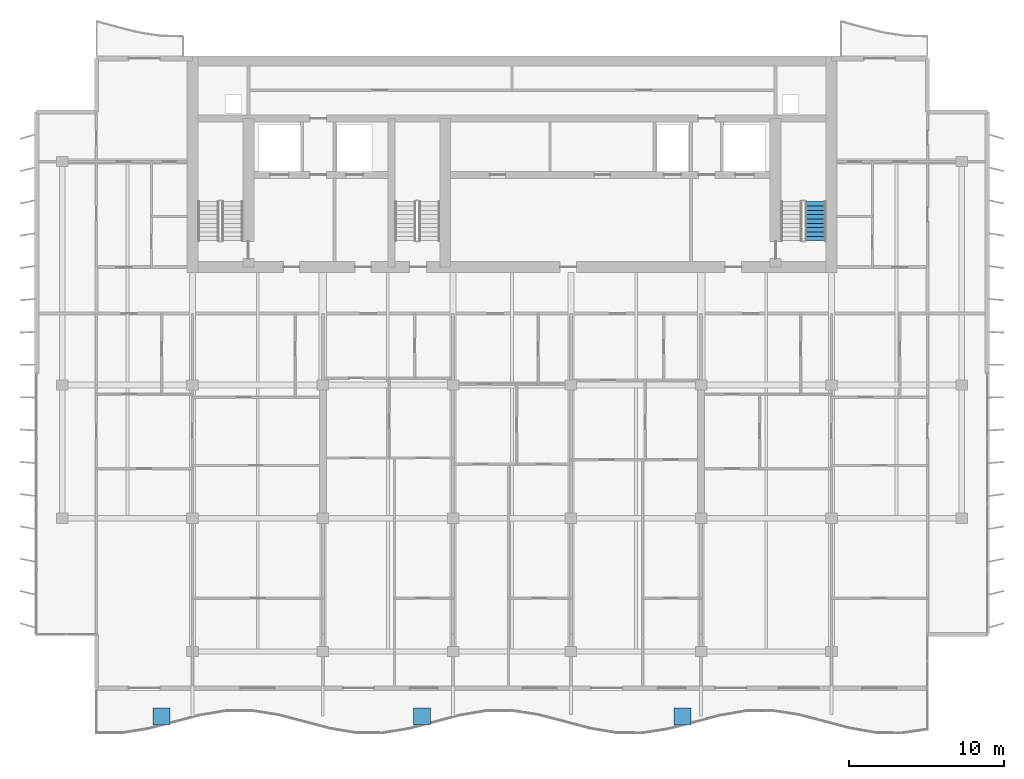
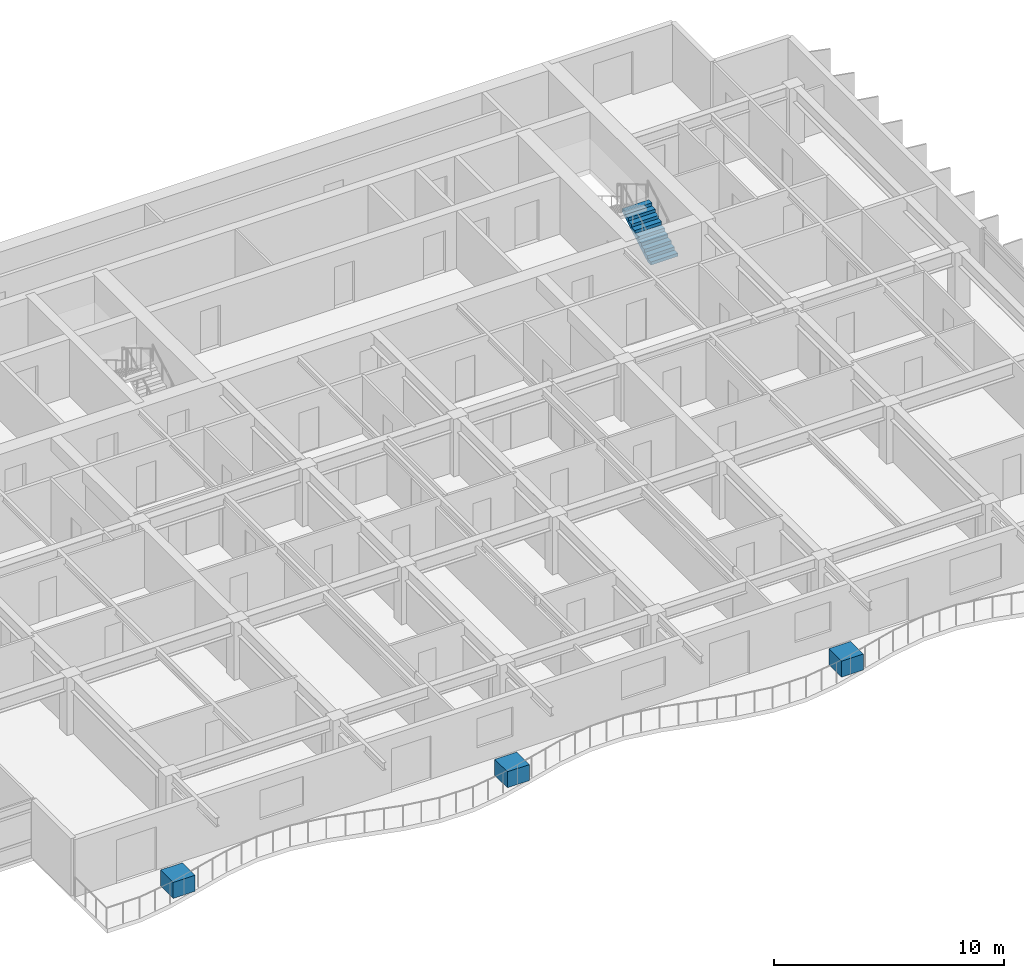
# One storey, part 11 of 16: 3 discrete accessories, 1 stair flight, 1 element without a shape of its own.
"""IFC4 building model written with IfcOpenShell, lengths in metres."""

from ifc_helpers import new_model, si_unit, direction, frame, origin, origin_2d, place, context, subcontext, project, spatial, polyline, rectangle, outline, extrude, material, type_object, element, aggregate, save


model = new_model("IFC4")

# Units and contexts
model_context = context("Model", 3, precision=1e-05, world=origin(), true_north=direction((0.0, 1.0)))
body_context = subcontext(model_context, "Body", "Model", "MODEL_VIEW")
ifc_project = project(units=[si_unit("LENGTHUNIT", "METRE"), si_unit("AREAUNIT", "SQUARE_METRE"), si_unit("VOLUMEUNIT", "CUBIC_METRE"), si_unit("PLANEANGLEUNIT", "RADIAN"), si_unit("MASSUNIT", "GRAM", prefix="KILO")], contexts=[model_context])

# Site, building, storey
site_placement = place(None, origin())
site = spatial("IfcSite", under=ifc_project, at=site_placement, CompositionType="ELEMENT")
building_placement = place(site_placement, origin())
building = spatial("IfcBuilding", under=site, at=building_placement, Name="Caelmar Bay Residences", CompositionType="ELEMENT")
storey_placement = place(building_placement, frame((0.0, 0.0, 239.699951171875)))
storey = spatial("IfcBuildingStorey", under=building, at=storey_placement, Name="L67", CompositionType="ELEMENT", Elevation=239.699951171875)

# Stair, stair flight
ifc_material_1 = material(Name="Concrete f'c 40 MPa (6,000 psi)", Category="concrete")
stair_type = type_object("IfcStairType", Name="ST-TYP-165", PredefinedType="HALF_TURN_STAIR", material=ifc_material_1)
stair_placement = place(storey_placement, origin())
stair = element("IfcStair", 1, at=stair_placement, inside=storey, type_object=stair_type, Name="L67 East Smokeproof Exit Stair ST2", PredefinedType="HALF_TURN_STAIR")
stair_flight_type = type_object("IfcStairFlightType", Name="STF-1350", PredefinedType="STRAIGHT", material=ifc_material_1)
stair_flight_placement = place(storey_placement, frame((58.47509765625, 38.699951171875, 0.0), z_axis=(0.0, 0.0, 1.0), x_axis=(0.0, 1.0, 0.0)))
stair_flight = element("IfcStairFlight", 2, at=stair_flight_placement, type_object=stair_flight_type, Name="ST2 flight 1", NumberOfRisers=10, NumberOfTreads=9, PredefinedType="STRAIGHT", RiserHeight=0.165, TreadLength=0.28, context=body_context, shape_type="SweptSolid", body=[
    extrude(outline(polyline([(0.0, 0.0), (0.0, 0.1650390625), (0.280029296875, 0.1650390625), (0.280029296875, 0.330078125), (0.56005859375, 0.330078125), (0.56005859375, 0.4951171875), (0.840087890625, 0.4951171875), (0.840087890625, 0.659912109375), (1.1201171875, 0.659912109375), (1.1201171875, 0.824951171875), (1.39990234375, 0.824951171875), (1.39990234375, 0.989990234375), (1.679931640625, 0.989990234375), (1.679931640625, 1.155029296875), (1.9599609375, 1.155029296875), (1.9599609375, 1.320068359375), (2.239990234375, 1.320068359375), (2.239990234375, 1.485107421875), (2.52001953125, 1.485107421875), (2.52001953125, 1.64990234375), (2.52001953125, 1.31103515625), (0.295166015625, 0.0), (0.0, 0.0)])), frame((0.0, 0.675048828125, 0.0), z_axis=(0.0, -1.0, 0.0), x_axis=(1.0, 0.0, 0.0)), (0.0, 0.0, 1.0), 1.35009765625),
])
aggregate(stair, [stair_flight])

# Discrete accessories
ifc_material_2 = material(Name="Architectural bronze GRC planter trough with volcanic-lapilli substrate")
discrete_accessory_type = type_object("IfcDiscreteAccessoryType", Name="ACC-PLANTER-1100", PredefinedType="USERDEFINED", material=ifc_material_2)
for number, where, z_axis, x_axis, name in (
    (3, (16.300048828125, 8.018310546875, 0.0), (0.0, 0.0, 1.0), (1.0, 0.0, 0.0), "L67 Balcony Structural Tree Planter 1"),
    (4, (33.10009765625, 8.018310546875, 0.0), (0.0, 0.0, 1.0), (1.0, 0.0, 0.0), "L67 Balcony Structural Tree Planter 2"),
    (5, (49.89990234375, 8.018310546875, 0.0), (0.0, 0.0, 1.0), (1.0, 0.0, 0.0), "L67 Balcony Structural Tree Planter 3"),
):
    element("IfcDiscreteAccessory", number, at=place(storey_placement, frame(where, z_axis=z_axis, x_axis=x_axis)), inside=storey, type_object=discrete_accessory_type, Name=name, ObjectType="PLANTER", PredefinedType="USERDEFINED", context=body_context, shape_type="SweptSolid", body=[
        extrude(rectangle(XDim=1.10009765625, YDim=1.10009765625, at=origin_2d()), origin(), (0.0, 0.0, 1.0), 0.85009765625),
    ])

save(model, "model.ifc")
